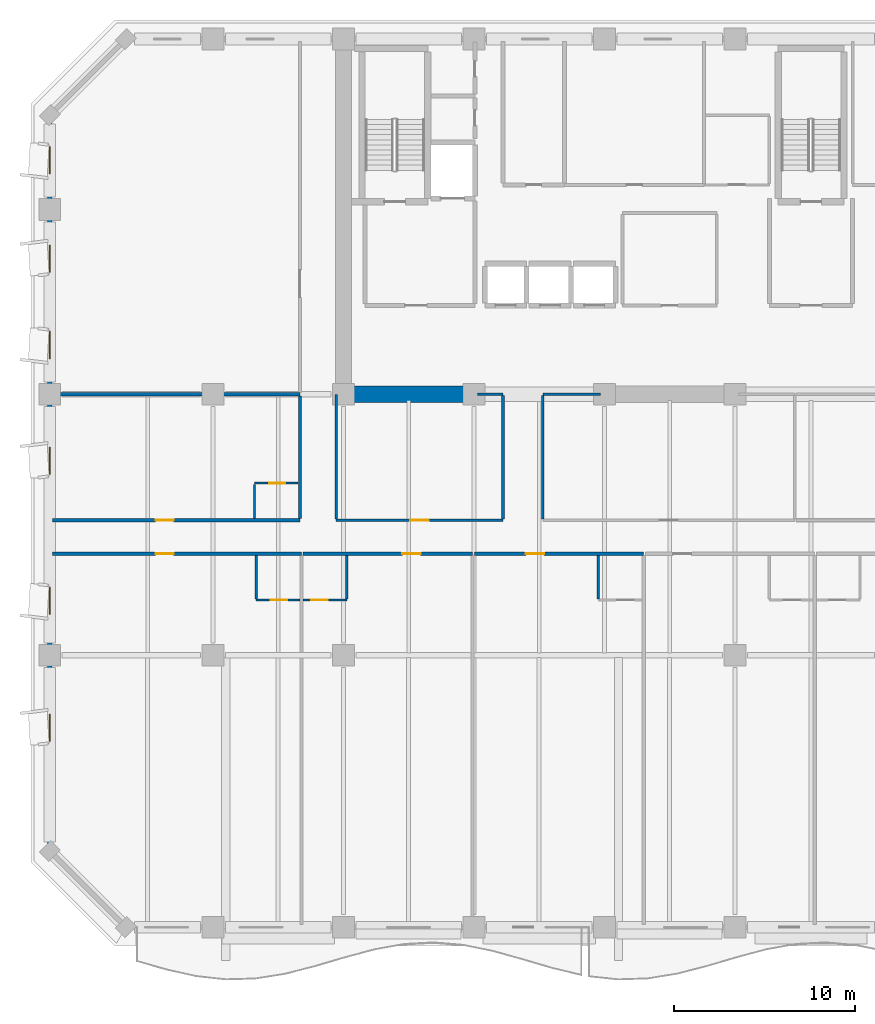
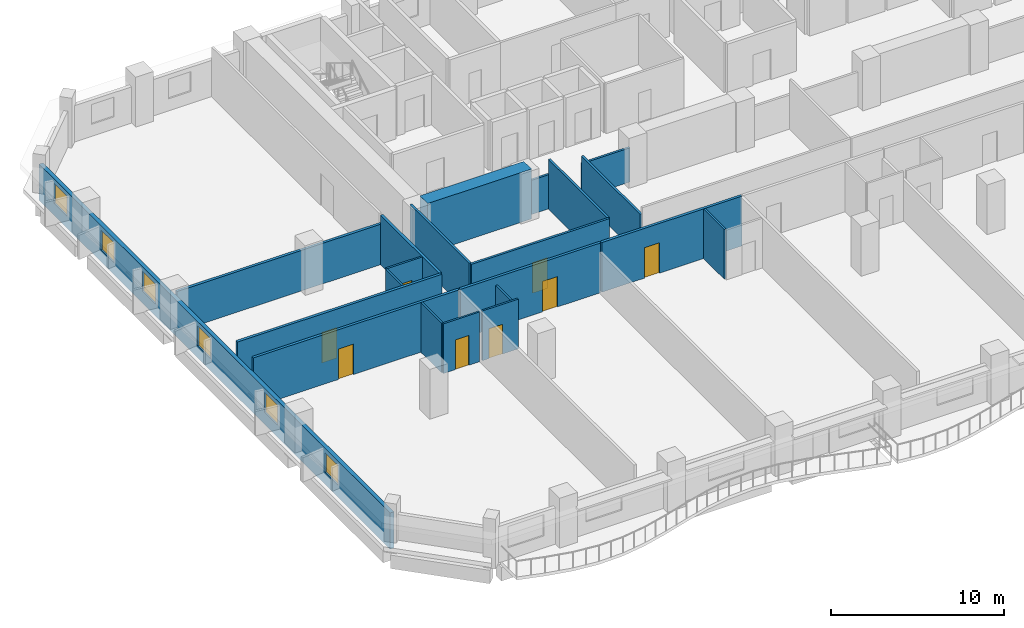
# One storey, part 4 of 14: 21 walls, 8 doors, 6 windows, 14 openings.
"""IFC4 building model written with IfcOpenShell, lengths in metres."""

import ifcopenshell
import ifcopenshell.guid

model = None  # the IFC model being written
_history = None  # IfcOwnerHistory: only IFC2X3 demands one
_inside = {}  # id of a spatial element -> (the spatial element, [elements in it])
_under = {}  # id of a project, library or spatial element -> (it, [spatial elements below it])
_declared = {}  # id of a project -> (the project, [libraries it declares])
_typed = {}  # id of a type object -> (the type object, [elements of that type])
_made_of = {}  # id of a material, layer set ... -> (it, [elements and type objects made of it])


def new_model(schema):
    """Start an empty IFC model of exactly this schema.

    Asked for "IFC4X3", IfcOpenShell would pick the latest addendum, in which some entities
    have other attributes; the version numbers below select the first issue.
    IFC2X3 requires an IfcOwnerHistory on every rooted entity: one is made here for all.
    """
    global model, _history
    if schema == "IFC4X3":
        model = ifcopenshell.file(schema_version=(4, 3, 0, 0))
    else:
        model = ifcopenshell.file(schema=schema)
    _inside.clear()
    _under.clear()
    _declared.clear()
    _typed.clear()
    _made_of.clear()
    _history = None
    if model.schema == "IFC2X3":
        org = make("IfcOrganization", Name="unknown")
        user = make(
            "IfcPersonAndOrganization",
            ThePerson=make("IfcPerson", FamilyName="unknown"),
            TheOrganization=org,
        )
        app = make(
            "IfcApplication",
            ApplicationDeveloper=org,
            Version="unknown",
            ApplicationFullName="unknown",
            ApplicationIdentifier="unknown",
        )
        _history = make(
            "IfcOwnerHistory",
            OwningUser=user,
            OwningApplication=app,
            ChangeAction="ADDED",
            CreationDate=0,
        )
    return model


def make(cls, **values):
    """One entity of the class cls with the attributes given. An attribute that is None is left unset."""
    return model.create_entity(
        cls, **{name: value for name, value in values.items() if value is not None}
    )


def rooted(cls, **values):
    """An entity with a GlobalId (a new one), such as an element, a storey or a relation."""
    return make(cls, GlobalId=ifcopenshell.guid.new(), OwnerHistory=_history, **values)


def si_unit(unit_type, name, prefix=None):
    """IfcSIUnit, for example si_unit("LENGTHUNIT", "METRE", prefix="MILLI")."""
    return make("IfcSIUnit", UnitType=unit_type, Prefix=prefix, Name=name)


def assignment(units):
    """IfcUnitAssignment: the units of a project."""
    return None if units is None else make("IfcUnitAssignment", Units=units)


def point(xyz):
    """IfcCartesianPoint."""
    return None if xyz is None else make("IfcCartesianPoint", Coordinates=xyz)


def direction(xyz):
    """IfcDirection."""
    return None if xyz is None else make("IfcDirection", DirectionRatios=xyz)


def frame(location, z_axis=None, x_axis=None):
    """IfcAxis2Placement3D, a coordinate frame: its origin and axes. An axis left out is left unset."""
    return make(
        "IfcAxis2Placement3D",
        Location=point(location),
        Axis=direction(z_axis),
        RefDirection=direction(x_axis),
    )


def frame_2d(location, x_axis=None):
    """IfcAxis2Placement2D, a coordinate frame in the plane: its origin and x axis."""
    return make(
        "IfcAxis2Placement2D", Location=point(location), RefDirection=direction(x_axis)
    )


def origin():
    """The frame at (0, 0, 0) with its axes left unset."""
    return frame((0.0, 0.0, 0.0))


def place(relative_to, where):
    """IfcLocalPlacement: puts the frame where relative to a parent placement (None: the world)."""
    return make(
        "IfcLocalPlacement", PlacementRelTo=relative_to, RelativePlacement=where
    )


def context(
    kind, dimensions, precision=None, world=None, true_north=None, identifier=None
):
    """IfcGeometricRepresentationContext, for example the 3D "Model" context."""
    return make(
        "IfcGeometricRepresentationContext",
        ContextIdentifier=identifier,
        ContextType=kind,
        CoordinateSpaceDimension=dimensions,
        Precision=precision,
        WorldCoordinateSystem=world,
        TrueNorth=true_north,
    )


def subcontext(parent, identifier, kind, view, scale=None):
    """IfcGeometricRepresentationSubContext, for example "Body" below "Model"."""
    return make(
        "IfcGeometricRepresentationSubContext",
        ContextIdentifier=identifier,
        ContextType=kind,
        ParentContext=parent,
        TargetScale=scale,
        TargetView=view,
    )


def project(units=None, contexts=None):
    """IfcProject with its units and contexts."""
    return rooted(
        "IfcProject",
        Name="project",
        RepresentationContexts=contexts,
        UnitsInContext=assignment(units),
    )


def spatial(cls, under=None, at=None, **own):
    """A site, building, storey or space (cls), placed at a placement, below another one or the project."""
    s = rooted(cls, ObjectPlacement=at, **own)
    if under is not None:
        _under.setdefault(under.id(), (under, []))[1].append(s)
    return s


def profile(cls, at=None, kind="AREA", **sizes):
    """A parametric profile (cls). Its sizes go by their IFC names, for example OverallWidth=200.0."""
    return make(cls, ProfileType=kind, Position=at, **sizes)


def rectangle(**sizes):
    """IfcRectangleProfileDef."""
    return profile("IfcRectangleProfileDef", **sizes)


def extrude(swept, where, along, depth):
    """IfcExtrudedAreaSolid: the profile swept, set in the frame where, extruded along a direction by depth."""
    return make(
        "IfcExtrudedAreaSolid",
        SweptArea=swept,
        Position=where,
        ExtrudedDirection=direction(along),
        Depth=depth,
    )


def shape(context_of_items, identifier, shape_type, items):
    """IfcShapeRepresentation: the items that make up one representation, for example the "Body"."""
    return make(
        "IfcShapeRepresentation",
        ContextOfItems=context_of_items,
        RepresentationIdentifier=identifier,
        RepresentationType=shape_type,
        Items=items,
    )


def material(Name=None, Category=None):
    """IfcMaterial."""
    return make("IfcMaterial", Name=Name, Category=Category)


def layer(
    of_material, thickness, ventilated=None, Name=None, Category=None, Priority=None
):
    """IfcMaterialLayer: one layer of a wall or slab, of a material (None: an air gap)."""
    return make(
        "IfcMaterialLayer",
        Material=of_material,
        LayerThickness=thickness,
        IsVentilated=ventilated,
        Name=Name,
        Category=Category,
        Priority=Priority,
    )


def layer_set(layers, Name=None):
    """IfcMaterialLayerSet."""
    return make("IfcMaterialLayerSet", MaterialLayers=layers, LayerSetName=Name)


def made_of(thing, what):
    """Note that an element or type object is made of a material, layer set ...; save() writes the relation."""
    if what is not None:
        _made_of.setdefault(what.id(), (what, []))[1].append(thing)
    return thing


def type_object(cls, material=None, **own):
    """A type object (cls), such as IfcWallType, which elements share."""
    return made_of(rooted(cls, **own), material)


def element(
    cls,
    number,
    at=None,
    inside=None,
    cuts=None,
    type_object=None,
    material=None,
    context=None,
    identifier="Body",
    shape_type=None,
    held_by="IfcProductDefinitionShape",
    body=None,
    shapes=None,
    **own,
):
    """One element of the class cls, such as IfcWall. Its Tag is "e" and its number.

    at: its placement. inside: the storey or other place that contains it. cuts: it is an
    opening in that element (IfcRelVoidsElement). A single representation is given by context,
    identifier, shape_type and body (its items); several are given by shapes. held_by: the class
    of the entity that holds the representations. save() writes the other relations.
    """
    e = rooted(cls, Tag="e%d" % number, ObjectPlacement=at, **own)
    if body is not None:
        shapes = [shape(context, identifier, shape_type, body)]
    if shapes is not None:
        e.Representation = make(held_by, Representations=shapes)
    if inside is not None:
        _inside.setdefault(inside.id(), (inside, []))[1].append(e)
    if cuts is not None:
        rooted(
            "IfcRelVoidsElement", RelatingBuildingElement=cuts, RelatedOpeningElement=e
        )
    if type_object is not None:
        _typed.setdefault(type_object.id(), (type_object, []))[1].append(e)
    return made_of(e, material)


def fill(opening, filler):
    """IfcRelFillsElement: the door or window that sits in an opening."""
    return rooted(
        "IfcRelFillsElement",
        RelatingOpeningElement=opening,
        RelatedBuildingElement=filler,
    )


def aggregate(whole, parts):
    """IfcRelAggregates: a whole, such as a stair, and the parts it consists of."""
    return rooted("IfcRelAggregates", RelatingObject=whole, RelatedObjects=parts)


def save(model, path):
    """Write the relations noted so far, then the file.

    IfcRelAggregates (storeys below a building ...), IfcRelContainedInSpatialStructure (elements
    in a storey), IfcRelDefinesByType, IfcRelAssociatesMaterial and IfcRelDeclares: one each for
    every whole, place, type object, material and project.
    """
    for whole, parts in _under.values():
        aggregate(whole, parts)
    for where, things in _inside.values():
        rooted(
            "IfcRelContainedInSpatialStructure",
            RelatedElements=things,
            RelatingStructure=where,
        )
    for kind, things in _typed.values():
        rooted("IfcRelDefinesByType", RelatedObjects=things, RelatingType=kind)
    for what, things in _made_of.values():
        rooted("IfcRelAssociatesMaterial", RelatedObjects=things, RelatingMaterial=what)
    for by, libraries in _declared.values():
        rooted("IfcRelDeclares", RelatingContext=by, RelatedDefinitions=libraries)
    model.write(path)


model = new_model("IFC4")

# Units and contexts
model_context = context("Model", 3, precision=1e-05, world=origin(), true_north=direction((0.0, 1.0)))
body_context = subcontext(model_context, "Body", "Model", "MODEL_VIEW")
ifc_project = project(units=[si_unit("LENGTHUNIT", "METRE"), si_unit("AREAUNIT", "SQUARE_METRE"), si_unit("VOLUMEUNIT", "CUBIC_METRE"), si_unit("PLANEANGLEUNIT", "RADIAN"), si_unit("MASSUNIT", "GRAM", prefix="KILO")], contexts=[model_context])

# Site, building, storey
site_placement = place(None, origin())
site = spatial("IfcSite", under=ifc_project, at=site_placement, CompositionType="ELEMENT")
building_placement = place(site_placement, origin())
building = spatial("IfcBuilding", under=site, at=building_placement, Name="Kaelvorn Grand Hotel", CompositionType="ELEMENT")
storey_placement = place(building_placement, frame((0.0, 0.0, 85.550048828125)))
storey = spatial("IfcBuildingStorey", under=building, at=storey_placement, Name="L19", CompositionType="ELEMENT", Elevation=85.550048828125)

# Wall
ifc_material_1 = material(Name="Concrete C60/75", Category="concrete")
ifc_layer_1 = layer(ifc_material_1, 0.89990234375)
ifc_layer_set_1 = layer_set([ifc_layer_1], Name="Concrete C60/75")
wall_type_1 = type_object("IfcWallType", Name="WL-CORE-900-C60", PredefinedType="SHEAR", material=ifc_layer_set_1)
wall_1_placement = place(storey_placement, frame((16.655029296875, 29.39990234375, 0.0), z_axis=(0.0, 0.0, 1.0), x_axis=(1.0, 0.0, 0.0)))
element("IfcWall", 1, at=wall_1_placement, inside=storey, type_object=wall_type_1, Name="L19 Rear-Core Coupled Shear Pier S1", PredefinedType="SHEAR", context=body_context, shape_type="SweptSolid", body=[
    extrude(rectangle(XDim=6.945068359375, YDim=0.89990234375, at=frame_2d((3.47265625, 0.0))), origin(), (0.0, 0.0, 1.0), 3.510009765625),
])

# Wall, openings, windows
ifc_material_2 = material(Name="Concrete C40/50", Category="concrete")
ifc_layer_2 = layer(ifc_material_2, 0.260009765625)
ifc_layer_set_2 = layer_set([ifc_layer_2], Name="Concrete C40/50")
wall_type_2 = type_object("IfcWallType", Name="WL-EXT-260-C40", PredefinedType="SOLIDWALL", material=ifc_layer_set_2)
wall_2_placement = place(storey_placement, frame((0.0, 44.800048828125, 0.0), z_axis=(0.0, 0.0, 1.0), x_axis=(0.0, -1.0, 0.0)))
wall_2 = element("IfcWall", 2, at=wall_2_placement, inside=storey, type_object=wall_type_2, Name="L19 Exterior Architectural Concrete Wall 07", PredefinedType="SOLIDWALL", context=body_context, shape_type="SweptSolid", body=[
    extrude(rectangle(XDim=40.60009765625, YDim=0.260009765625, at=frame_2d((20.300048828125, 0.0))), origin(), (0.0, 0.0, 1.0), 2.56005859375),
])
opening_1_placement = place(wall_2_placement, frame((33.050048828125, 0.0, 0.85009765625)))
opening_1 = element("IfcOpeningElement", 3, at=opening_1_placement, cuts=wall_2, Name="Opening W10", PredefinedType="OPENING", context=body_context, shape_type="SweptSolid", body=[
    extrude(rectangle(XDim=1.5, YDim=1.39990234375, at=frame_2d((0.75, 0.699951171875))), frame((0.0, 0.14013671875, 0.0), z_axis=(0.0, -1.0, 0.0), x_axis=(1.0, 0.0, 0.0)), (0.0, 0.0, 1.0), 0.280029296875),
])
opening_2_placement = place(wall_2_placement, frame((26.050048828125, 0.0, 0.85009765625)))
opening_2 = element("IfcOpeningElement", 4, at=opening_2_placement, cuts=wall_2, Name="Opening W10", PredefinedType="OPENING", context=body_context, shape_type="SweptSolid", body=[
    extrude(rectangle(XDim=1.5, YDim=1.39990234375, at=frame_2d((0.75, 0.699951171875))), frame((0.0, 0.14013671875, 0.0), z_axis=(0.0, -1.0, 0.0), x_axis=(1.0, 0.0, 0.0)), (0.0, 0.0, 1.0), 0.280029296875),
])
opening_3_placement = place(wall_2_placement, frame((18.324951171875, 0.0, 0.85009765625)))
opening_3 = element("IfcOpeningElement", 5, at=opening_3_placement, cuts=wall_2, Name="Opening W10", PredefinedType="OPENING", context=body_context, shape_type="SweptSolid", body=[
    extrude(rectangle(XDim=1.5, YDim=1.39990234375, at=frame_2d((0.75, 0.699951171875))), frame((0.0, 0.14013671875, 0.0), z_axis=(0.0, -1.0, 0.0), x_axis=(1.0, 0.0, 0.0)), (0.0, 0.0, 1.0), 0.280029296875),
])
opening_4_placement = place(wall_2_placement, frame((11.93505859375, 0.0, 0.85009765625)))
opening_4 = element("IfcOpeningElement", 6, at=opening_4_placement, cuts=wall_2, Name="Opening W10", PredefinedType="OPENING", context=body_context, shape_type="SweptSolid", body=[
    extrude(rectangle(XDim=1.5, YDim=1.39990234375, at=frame_2d((0.75, 0.699951171875))), frame((0.0, 0.14013671875, 0.0), z_axis=(0.0, -1.0, 0.0), x_axis=(1.0, 0.0, 0.0)), (0.0, 0.0, 1.0), 0.280029296875),
])
opening_5_placement = place(wall_2_placement, frame((7.1650390625, 0.0, 0.85009765625)))
opening_5 = element("IfcOpeningElement", 7, at=opening_5_placement, cuts=wall_2, Name="Opening W10", PredefinedType="OPENING", context=body_context, shape_type="SweptSolid", body=[
    extrude(rectangle(XDim=1.5, YDim=1.39990234375, at=frame_2d((0.75, 0.699951171875))), frame((0.0, 0.14013671875, 0.0), z_axis=(0.0, -1.0, 0.0), x_axis=(1.0, 0.0, 0.0)), (0.0, 0.0, 1.0), 0.280029296875),
])
opening_6_placement = place(wall_2_placement, frame((1.735107421875, 0.0, 0.85009765625)))
opening_6 = element("IfcOpeningElement", 8, at=opening_6_placement, cuts=wall_2, Name="Opening W10", PredefinedType="OPENING", context=body_context, shape_type="SweptSolid", body=[
    extrude(rectangle(XDim=1.5, YDim=1.39990234375, at=frame_2d((0.75, 0.699951171875))), frame((0.0, 0.14013671875, 0.0), z_axis=(0.0, -1.0, 0.0), x_axis=(1.0, 0.0, 0.0)), (0.0, 0.0, 1.0), 0.280029296875),
])
ifc_material_3 = material(Name="Laminated Low-E Glass", Category="glass")
window_type = type_object("IfcWindowType", Name="WIN-COR-1500x1400", PartitioningType="SINGLE_PANEL", PredefinedType="WINDOW", material=ifc_material_3)
window_1_placement = place(opening_1_placement, origin())
window_1 = element("IfcWindow", 9, at=window_1_placement, inside=storey, type_object=window_type, Name="L19 W Wing Tilted-Frame Ribbon Window W01", OverallHeight=1.39990234375, OverallWidth=1.5, PartitioningType="SINGLE_PANEL", PredefinedType="WINDOW", context=body_context, shape_type="SweptSolid", body=[
    extrude(rectangle(XDim=1.5, YDim=1.39990234375, at=frame_2d((0.75, 0.699951171875))), frame((0.0, 0.030029296875, 0.0), z_axis=(0.0, -1.0, 0.0), x_axis=(1.0, 0.0, 0.0)), (0.0, 0.0, 1.0), 0.06005859375),
])
fill(opening_1, window_1)
window_2_placement = place(opening_2_placement, origin())
window_2 = element("IfcWindow", 10, at=window_2_placement, inside=storey, type_object=window_type, Name="L19 W Wing Tilted-Frame Ribbon Window W02", OverallHeight=1.39990234375, OverallWidth=1.5, PartitioningType="SINGLE_PANEL", PredefinedType="WINDOW", context=body_context, shape_type="SweptSolid", body=[
    extrude(rectangle(XDim=1.5, YDim=1.39990234375, at=frame_2d((0.75, 0.699951171875))), frame((0.0, 0.030029296875, 0.0), z_axis=(0.0, -1.0, 0.0), x_axis=(1.0, 0.0, 0.0)), (0.0, 0.0, 1.0), 0.06005859375),
])
fill(opening_2, window_2)
window_3_placement = place(opening_3_placement, origin())
window_3 = element("IfcWindow", 11, at=window_3_placement, inside=storey, type_object=window_type, Name="L19 W Wing Tilted-Frame Ribbon Window W03", OverallHeight=1.39990234375, OverallWidth=1.5, PartitioningType="SINGLE_PANEL", PredefinedType="WINDOW", context=body_context, shape_type="SweptSolid", body=[
    extrude(rectangle(XDim=1.5, YDim=1.39990234375, at=frame_2d((0.75, 0.699951171875))), frame((0.0, 0.030029296875, 0.0), z_axis=(0.0, -1.0, 0.0), x_axis=(1.0, 0.0, 0.0)), (0.0, 0.0, 1.0), 0.06005859375),
])
fill(opening_3, window_3)
window_4_placement = place(opening_4_placement, origin())
window_4 = element("IfcWindow", 12, at=window_4_placement, inside=storey, type_object=window_type, Name="L19 W Wing Tilted-Frame Ribbon Window W04", OverallHeight=1.39990234375, OverallWidth=1.5, PartitioningType="SINGLE_PANEL", PredefinedType="WINDOW", context=body_context, shape_type="SweptSolid", body=[
    extrude(rectangle(XDim=1.5, YDim=1.39990234375, at=frame_2d((0.75, 0.699951171875))), frame((0.0, 0.030029296875, 0.0), z_axis=(0.0, -1.0, 0.0), x_axis=(1.0, 0.0, 0.0)), (0.0, 0.0, 1.0), 0.06005859375),
])
fill(opening_4, window_4)
window_5_placement = place(opening_5_placement, origin())
window_5 = element("IfcWindow", 13, at=window_5_placement, inside=storey, type_object=window_type, Name="L19 W Wing Tilted-Frame Ribbon Window W05", OverallHeight=1.39990234375, OverallWidth=1.5, PartitioningType="SINGLE_PANEL", PredefinedType="WINDOW", context=body_context, shape_type="SweptSolid", body=[
    extrude(rectangle(XDim=1.5, YDim=1.39990234375, at=frame_2d((0.75, 0.699951171875))), frame((0.0, 0.030029296875, 0.0), z_axis=(0.0, -1.0, 0.0), x_axis=(1.0, 0.0, 0.0)), (0.0, 0.0, 1.0), 0.06005859375),
])
fill(opening_5, window_5)
window_6_placement = place(opening_6_placement, origin())
window_6 = element("IfcWindow", 14, at=window_6_placement, inside=storey, type_object=window_type, Name="L19 W Wing Tilted-Frame Ribbon Window W06", OverallHeight=1.39990234375, OverallWidth=1.5, PartitioningType="SINGLE_PANEL", PredefinedType="WINDOW", context=body_context, shape_type="SweptSolid", body=[
    extrude(rectangle(XDim=1.5, YDim=1.39990234375, at=frame_2d((0.75, 0.699951171875))), frame((0.0, 0.030029296875, 0.0), z_axis=(0.0, -1.0, 0.0), x_axis=(1.0, 0.0, 0.0)), (0.0, 0.0, 1.0), 0.06005859375),
])
fill(opening_6, window_6)

# Wall, opening, door
ifc_material_4 = material(Name="Moisture-Resistant Tile & Stud Board")
ifc_layer_3 = layer(ifc_material_4, 0.125)
ifc_layer_set_3 = layer_set([ifc_layer_3], Name="Moisture-Resistant Tile & Stud Board")
wall_type_3 = type_object("IfcWallType", Name="WL-PART-125-WET", PredefinedType="PARTITIONING", material=ifc_layer_set_3)
wall_3_placement = place(storey_placement, frame((11.3876953125, 18.050048828125, 0.0), z_axis=(0.0, 0.0, 1.0), x_axis=(1.0, 0.0, 0.0)))
wall_3 = element("IfcWall", 15, at=wall_3_placement, inside=storey, type_object=wall_type_3, Name="L19 En-suite Bathroom L19-01 S Partition", PredefinedType="PARTITIONING", context=body_context, shape_type="SweptSolid", body=[
    extrude(rectangle(XDim=2.405029296875, YDim=0.125, at=frame_2d((1.20263671875, 0.0))), origin(), (0.0, 0.0, 1.0), 3.510009765625),
])
opening_7_placement = place(wall_3_placement, frame((0.800048828125, 0.0, 0.0)))
opening_7 = element("IfcOpeningElement", 16, at=opening_7_placement, cuts=wall_3, Name="Opening DI4", PredefinedType="OPENING", context=body_context, shape_type="SweptSolid", body=[
    extrude(rectangle(XDim=0.89990234375, YDim=2.10009765625, at=frame_2d((0.449951171875, 1.050048828125))), frame((0.0, 0.072509765625, 0.0), z_axis=(0.0, -1.0, 0.0), x_axis=(1.0, 0.0, 0.0)), (0.0, 0.0, 1.0), 0.14501953125),
])
ifc_material_5 = material(Name="Timber Veneer Leaf", Category="wood")
door_type_1 = type_object("IfcDoorType", Name="DR-INT-BATH-900x2100", OperationType="NOTDEFINED", PredefinedType="DOOR", material=ifc_material_5)
door_1_placement = place(opening_7_placement, origin())
door_1 = element("IfcDoor", 17, at=door_1_placement, inside=storey, type_object=door_type_1, Name="L19 En-suite Bathroom L19-01 Door", OperationType="SINGLE_SWING_LEFT", OverallHeight=2.10009765625, OverallWidth=0.89990234375, PredefinedType="DOOR", context=body_context, shape_type="SweptSolid", body=[
    extrude(rectangle(XDim=0.89990234375, YDim=2.10009765625, at=frame_2d((0.449951171875, 1.050048828125))), frame((0.0, 0.02490234375, 0.0), z_axis=(0.0, -1.0, 0.0), x_axis=(1.0, 0.0, 0.0)), (0.0, 0.0, 1.0), 0.050048828125),
])
fill(opening_7, door_1)

# Wall
wall_4_placement = place(storey_placement, frame((11.3876953125, 18.117431640625, 0.0), z_axis=(0.0, 0.0, 1.0), x_axis=(0.0, 1.0, 0.0)))
element("IfcWall", 18, at=wall_4_placement, inside=storey, type_object=wall_type_3, Name="L19 En-suite Bathroom L19-01 W Partition", PredefinedType="PARTITIONING", context=body_context, shape_type="SweptSolid", body=[
    extrude(rectangle(XDim=2.387451171875, YDim=0.125, at=frame_2d((1.19384765625, 0.0))), origin(), (0.0, 0.0, 1.0), 3.510009765625),
])

# Wall, opening, door
wall_5_placement = place(storey_placement, frame((13.982666015625, 18.050048828125, 0.0), z_axis=(0.0, 0.0, 1.0), x_axis=(1.0, 0.0, 0.0)))
wall_5 = element("IfcWall", 19, at=wall_5_placement, inside=storey, type_object=wall_type_3, Name="L19 En-suite Bathroom L19-02 S Partition", PredefinedType="PARTITIONING", context=body_context, shape_type="SweptSolid", body=[
    extrude(rectangle(XDim=2.405029296875, YDim=0.125, at=frame_2d((1.20263671875, 0.0))), origin(), (0.0, 0.0, 1.0), 3.510009765625),
])
opening_8_placement = place(wall_5_placement, frame((0.455078125, 0.0, 0.0)))
opening_8 = element("IfcOpeningElement", 20, at=opening_8_placement, cuts=wall_5, Name="Opening DI4", PredefinedType="OPENING", context=body_context, shape_type="SweptSolid", body=[
    extrude(rectangle(XDim=0.89990234375, YDim=2.10009765625, at=frame_2d((0.449951171875, 1.050048828125))), frame((0.0, 0.072509765625, 0.0), z_axis=(0.0, -1.0, 0.0), x_axis=(1.0, 0.0, 0.0)), (0.0, 0.0, 1.0), 0.14501953125),
])
door_2_placement = place(opening_8_placement, origin())
door_2 = element("IfcDoor", 21, at=door_2_placement, inside=storey, type_object=door_type_1, Name="L19 En-suite Bathroom L19-02 Door", OperationType="SINGLE_SWING_LEFT", OverallHeight=2.10009765625, OverallWidth=0.89990234375, PredefinedType="DOOR", context=body_context, shape_type="SweptSolid", body=[
    extrude(rectangle(XDim=0.89990234375, YDim=2.10009765625, at=frame_2d((0.449951171875, 1.050048828125))), frame((0.0, 0.02490234375, 0.0), z_axis=(0.0, -1.0, 0.0), x_axis=(1.0, 0.0, 0.0)), (0.0, 0.0, 1.0), 0.050048828125),
])
fill(opening_8, door_2)

# Walls
wall_6_placement = place(storey_placement, frame((16.3876953125, 18.117431640625, 0.0), z_axis=(0.0, 0.0, 1.0), x_axis=(0.0, 1.0, 0.0)))
element("IfcWall", 22, at=wall_6_placement, inside=storey, type_object=wall_type_3, Name="L19 En-suite Bathroom L19-02 E Partition", PredefinedType="PARTITIONING", context=body_context, shape_type="SweptSolid", body=[
    extrude(rectangle(XDim=2.387451171875, YDim=0.125, at=frame_2d((1.19384765625, 0.0))), origin(), (0.0, 0.0, 1.0), 2.976806640625),
])
wall_7_placement = place(storey_placement, frame((30.26318359375, 18.117431640625, 0.0), z_axis=(0.0, 0.0, 1.0), x_axis=(0.0, 1.0, 0.0)))
element("IfcWall", 23, at=wall_7_placement, inside=storey, type_object=wall_type_3, Name="L19 En-suite Bathroom L19-03 W Partition", PredefinedType="PARTITIONING", context=body_context, shape_type="SweptSolid", body=[
    extrude(rectangle(XDim=2.387451171875, YDim=0.125, at=frame_2d((1.19384765625, 0.0))), origin(), (0.0, 0.0, 1.0), 3.510009765625),
])

# Wall, opening, door
wall_8_placement = place(storey_placement, frame((11.300048828125, 24.5, 0.0), z_axis=(0.0, 0.0, 1.0), x_axis=(1.0, 0.0, 0.0)))
wall_8 = element("IfcWall", 24, at=wall_8_placement, inside=storey, type_object=wall_type_3, Name="L19 En-suite Bathroom L19-09 N Partition", PredefinedType="PARTITIONING", context=body_context, shape_type="SweptSolid", body=[
    extrude(rectangle(XDim=2.405029296875, YDim=0.125, at=frame_2d((1.20263671875, 0.0))), origin(), (0.0, 0.0, 1.0), 3.510009765625),
])
opening_9_placement = place(wall_8_placement, frame((0.800048828125, 0.0, 0.0)))
opening_9 = element("IfcOpeningElement", 25, at=opening_9_placement, cuts=wall_8, Name="Opening DI4", PredefinedType="OPENING", context=body_context, shape_type="SweptSolid", body=[
    extrude(rectangle(XDim=0.89990234375, YDim=2.10009765625, at=frame_2d((0.449951171875, 1.050048828125))), frame((0.0, 0.072509765625, 0.0), z_axis=(0.0, -1.0, 0.0), x_axis=(1.0, 0.0, 0.0)), (0.0, 0.0, 1.0), 0.14501953125),
])
door_3_placement = place(opening_9_placement, origin())
door_3 = element("IfcDoor", 26, at=door_3_placement, inside=storey, type_object=door_type_1, Name="L19 En-suite Bathroom L19-09 Door", OperationType="SINGLE_SWING_LEFT", OverallHeight=2.10009765625, OverallWidth=0.89990234375, PredefinedType="DOOR", context=body_context, shape_type="SweptSolid", body=[
    extrude(rectangle(XDim=0.89990234375, YDim=2.10009765625, at=frame_2d((0.449951171875, 1.050048828125))), frame((0.0, 0.02490234375, 0.0), z_axis=(0.0, -1.0, 0.0), x_axis=(1.0, 0.0, 0.0)), (0.0, 0.0, 1.0), 0.050048828125),
])
fill(opening_9, door_3)

# Wall
wall_9_placement = place(storey_placement, frame((11.300048828125, 22.544921875, 0.0), z_axis=(0.0, 0.0, 1.0), x_axis=(0.0, 1.0, 0.0)))
element("IfcWall", 27, at=wall_9_placement, inside=storey, type_object=wall_type_3, Name="L19 En-suite Bathroom L19-09 W Partition", PredefinedType="PARTITIONING", context=body_context, shape_type="SweptSolid", body=[
    extrude(rectangle(XDim=1.8876953125, YDim=0.125, at=frame_2d((0.94384765625, 0.0))), origin(), (0.0, 0.0, 1.0), 3.510009765625),
])

# Wall, opening, door
ifc_material_6 = material(Name="Acoustic Gypsum & Stud Partition")
ifc_layer_4 = layer(ifc_material_6, 0.14990234375)
ifc_layer_set_4 = layer_set([ifc_layer_4], Name="Acoustic Gypsum & Stud Partition")
wall_type_4 = type_object("IfcWallType", Name="WL-PART-150-EI60", PredefinedType="PARTITIONING", material=ifc_layer_set_4)
wall_10_placement = place(storey_placement, frame((15.800048828125, 22.449951171875, 0.0), z_axis=(0.0, 0.0, 1.0), x_axis=(1.0, 0.0, 0.0)))
wall_10 = element("IfcWall", 28, at=wall_10_placement, inside=storey, type_object=wall_type_4, Name="L19 Art Gallery Salon S Partition", PredefinedType="PARTITIONING", context=body_context, shape_type="SweptSolid", body=[
    extrude(rectangle(XDim=9.199951171875, YDim=0.14990234375, at=frame_2d((4.60009765625, 0.0))), origin(), (0.0, 0.0, 1.0), 3.510009765625),
])
opening_10_placement = place(wall_10_placement, frame((4.10009765625, 0.0, 0.0)))
opening_10 = element("IfcOpeningElement", 29, at=opening_10_placement, cuts=wall_10, Name="Opening DI3", PredefinedType="OPENING", context=body_context, shape_type="SweptSolid", body=[
    extrude(rectangle(XDim=1.0, YDim=2.14990234375, at=frame_2d((0.5, 1.074951171875))), frame((0.0, 0.0849609375, 0.0), z_axis=(0.0, -1.0, 0.0), x_axis=(1.0, 0.0, 0.0)), (0.0, 0.0, 1.0), 0.169921875),
])
ifc_material_7 = material(Name="Timber Veneer Fire Leaf", Category="wood")
door_type_2 = type_object("IfcDoorType", Name="DR-INT-GUEST-1000x2150", OperationType="NOTDEFINED", PredefinedType="DOOR", material=ifc_material_7)
door_4_placement = place(opening_10_placement, origin())
door_4 = element("IfcDoor", 30, at=door_4_placement, inside=storey, type_object=door_type_2, Name="L19 Art Gallery Salon Door", OperationType="SINGLE_SWING_RIGHT", OverallHeight=2.14990234375, OverallWidth=1.0, PredefinedType="DOOR", context=body_context, shape_type="SweptSolid", body=[
    extrude(rectangle(XDim=1.0, YDim=2.14990234375, at=frame_2d((0.5, 1.074951171875))), frame((0.0, 0.02490234375, 0.0), z_axis=(0.0, -1.0, 0.0), x_axis=(1.0, 0.0, 0.0)), (0.0, 0.0, 1.0), 0.050048828125),
])
fill(opening_10, door_4)

# Walls
wall_11_placement = place(storey_placement, frame((23.610107421875, 29.39990234375, 0.0), z_axis=(0.0, 0.0, 1.0), x_axis=(1.0, 0.0, 0.0)))
element("IfcWall", 31, at=wall_11_placement, inside=storey, type_object=wall_type_4, Name="L19 Art Gallery Salon N Partition", PredefinedType="PARTITIONING", context=body_context, shape_type="SweptSolid", body=[
    extrude(rectangle(XDim=1.389892578125, YDim=0.14990234375, at=frame_2d((0.69482421875, 0.0))), origin(), (0.0, 0.0, 1.0), 2.409912109375),
])
wall_12_placement = place(storey_placement, frame((15.800048828125, 22.530029296875, 0.0), z_axis=(0.0, 0.0, 1.0), x_axis=(0.0, 1.0, 0.0)))
element("IfcWall", 32, at=wall_12_placement, inside=storey, type_object=wall_type_4, Name="L19 Art Gallery Salon W Partition", PredefinedType="PARTITIONING", context=body_context, shape_type="SweptSolid", body=[
    extrude(rectangle(XDim=6.85986328125, YDim=0.14990234375, at=frame_2d((3.429931640625, 0.0))), origin(), (0.0, 0.0, 1.0), 3.510009765625),
])
wall_13_placement = place(storey_placement, frame((25.0, 22.530029296875, 0.0), z_axis=(0.0, 0.0, 1.0), x_axis=(0.0, 1.0, 0.0)))
element("IfcWall", 33, at=wall_13_placement, inside=storey, type_object=wall_type_4, Name="L19 Art Gallery Salon E Partition", PredefinedType="PARTITIONING", context=body_context, shape_type="SweptSolid", body=[
    extrude(rectangle(XDim=6.7900390625, YDim=0.14990234375, at=frame_2d((3.39501953125, 0.0))), origin(), (0.0, 0.0, 1.0), 3.510009765625),
])
wall_14_placement = place(storey_placement, frame((27.199951171875, 29.39990234375, 0.0), z_axis=(0.0, 0.0, 1.0), x_axis=(1.0, 0.0, 0.0)))
element("IfcWall", 34, at=wall_14_placement, inside=storey, type_object=wall_type_4, Name="L19 Pastry & Tea Kitchen N Partition (1)", PredefinedType="PARTITIONING", context=body_context, shape_type="SweptSolid", body=[
    extrude(rectangle(XDim=3.18994140625, YDim=0.14990234375, at=frame_2d((1.594970703125, 0.0))), origin(), (0.0, 0.0, 1.0), 2.409912109375),
])
wall_15_placement = place(storey_placement, frame((27.199951171875, 22.530029296875, 0.0), z_axis=(0.0, 0.0, 1.0), x_axis=(0.0, 1.0, 0.0)))
element("IfcWall", 35, at=wall_15_placement, inside=storey, type_object=wall_type_4, Name="L19 Pastry & Tea Kitchen W Partition", PredefinedType="PARTITIONING", context=body_context, shape_type="SweptSolid", body=[
    extrude(rectangle(XDim=6.7900390625, YDim=0.14990234375, at=frame_2d((3.39501953125, 0.0))), origin(), (0.0, 0.0, 1.0), 2.976806640625),
])

# Wall, opening, door
ifc_layer_5 = layer(ifc_material_6, 0.179931640625)
ifc_layer_set_5 = layer_set([ifc_layer_5], Name="Acoustic Gypsum & Stud Partition")
wall_type_5 = type_object("IfcWallType", Name="WL-PART-180-EI60", PredefinedType="PARTITIONING", material=ifc_layer_set_5)
wall_16_placement = place(storey_placement, frame((0.14990234375, 20.60009765625, 0.0), z_axis=(0.0, 0.0, 1.0), x_axis=(1.0, 0.0, 0.0)))
wall_16 = element("IfcWall", 36, at=wall_16_placement, inside=storey, type_object=wall_type_5, Name="L19 Presidential Sky Suite L19-01 N Partition", PredefinedType="PARTITIONING", context=body_context, shape_type="SweptSolid", body=[
    extrude(rectangle(XDim=13.73779296875, YDim=0.179931640625, at=frame_2d((6.868896484375, 0.0))), origin(), (0.0, 0.0, 1.0), 3.510009765625),
])
opening_11_placement = place(wall_16_placement, frame((5.68505859375, 0.0, 0.0)))
opening_11 = element("IfcOpeningElement", 37, at=opening_11_placement, cuts=wall_16, Name="Opening DI3", PredefinedType="OPENING", context=body_context, shape_type="SweptSolid", body=[
    extrude(rectangle(XDim=1.0, YDim=2.14990234375, at=frame_2d((0.5, 1.074951171875))), frame((0.0, 0.10009765625, 0.0), z_axis=(0.0, -1.0, 0.0), x_axis=(1.0, 0.0, 0.0)), (0.0, 0.0, 1.0), 0.199951171875),
])
door_5_placement = place(opening_11_placement, origin())
door_5 = element("IfcDoor", 38, at=door_5_placement, inside=storey, type_object=door_type_2, Name="L19 Presidential Sky Suite L19-01 Door", OperationType="SINGLE_SWING_RIGHT", OverallHeight=2.14990234375, OverallWidth=1.0, PredefinedType="DOOR", context=body_context, shape_type="SweptSolid", body=[
    extrude(rectangle(XDim=1.0, YDim=2.14990234375, at=frame_2d((0.5, 1.074951171875))), frame((0.0, 0.02490234375, 0.0), z_axis=(0.0, -1.0, 0.0), x_axis=(1.0, 0.0, 0.0)), (0.0, 0.0, 1.0), 0.050048828125),
])
fill(opening_11, door_5)

wall_17_placement = place(storey_placement, frame((13.982666015625, 20.60009765625, 0.0), z_axis=(0.0, 0.0, 1.0), x_axis=(1.0, 0.0, 0.0)))
wall_17 = element("IfcWall", 39, at=wall_17_placement, inside=storey, type_object=wall_type_5, Name="L19 Deluxe Panoramic Suite L19-02 N Partition", PredefinedType="PARTITIONING", context=body_context, shape_type="SweptSolid", body=[
    extrude(rectangle(XDim=9.3427734375, YDim=0.179931640625, at=frame_2d((4.67138671875, 0.0))), origin(), (0.0, 0.0, 1.0), 3.510009765625),
])
opening_12_placement = place(wall_17_placement, frame((5.47119140625, 0.0, 0.0)))
opening_12 = element("IfcOpeningElement", 40, at=opening_12_placement, cuts=wall_17, Name="Opening DI3", PredefinedType="OPENING", context=body_context, shape_type="SweptSolid", body=[
    extrude(rectangle(XDim=1.0, YDim=2.14990234375, at=frame_2d((0.5, 1.074951171875))), frame((0.0, 0.10009765625, 0.0), z_axis=(0.0, -1.0, 0.0), x_axis=(1.0, 0.0, 0.0)), (0.0, 0.0, 1.0), 0.199951171875),
])
door_6_placement = place(opening_12_placement, origin())
door_6 = element("IfcDoor", 41, at=door_6_placement, inside=storey, type_object=door_type_2, Name="L19 Deluxe Panoramic Suite L19-02 Door", OperationType="SINGLE_SWING_RIGHT", OverallHeight=2.14990234375, OverallWidth=1.0, PredefinedType="DOOR", context=body_context, shape_type="SweptSolid", body=[
    extrude(rectangle(XDim=1.0, YDim=2.14990234375, at=frame_2d((0.5, 1.074951171875))), frame((0.0, 0.02490234375, 0.0), z_axis=(0.0, -1.0, 0.0), x_axis=(1.0, 0.0, 0.0)), (0.0, 0.0, 1.0), 0.050048828125),
])
fill(opening_12, door_6)

wall_18_placement = place(storey_placement, frame((23.42041015625, 20.60009765625, 0.0), z_axis=(0.0, 0.0, 1.0), x_axis=(1.0, 0.0, 0.0)))
wall_18 = element("IfcWall", 42, at=wall_18_placement, inside=storey, type_object=wall_type_5, Name="L19 Deluxe Panoramic Suite L19-03 N Partition", PredefinedType="PARTITIONING", context=body_context, shape_type="SweptSolid", body=[
    extrude(rectangle(XDim=9.3427734375, YDim=0.179931640625, at=frame_2d((4.67138671875, 0.0))), origin(), (0.0, 0.0, 1.0), 3.510009765625),
])
opening_13_placement = place(wall_18_placement, frame((2.85107421875, 0.0, 0.0)))
opening_13 = element("IfcOpeningElement", 43, at=opening_13_placement, cuts=wall_18, Name="Opening DI3", PredefinedType="OPENING", context=body_context, shape_type="SweptSolid", body=[
    extrude(rectangle(XDim=1.0, YDim=2.14990234375, at=frame_2d((0.5, 1.074951171875))), frame((0.0, 0.10009765625, 0.0), z_axis=(0.0, -1.0, 0.0), x_axis=(1.0, 0.0, 0.0)), (0.0, 0.0, 1.0), 0.199951171875),
])
door_7_placement = place(opening_13_placement, origin())
door_7 = element("IfcDoor", 44, at=door_7_placement, inside=storey, type_object=door_type_2, Name="L19 Deluxe Panoramic Suite L19-03 Door", OperationType="SINGLE_SWING_RIGHT", OverallHeight=2.14990234375, OverallWidth=1.0, PredefinedType="DOOR", context=body_context, shape_type="SweptSolid", body=[
    extrude(rectangle(XDim=1.0, YDim=2.14990234375, at=frame_2d((0.5, 1.074951171875))), frame((0.0, 0.02490234375, 0.0), z_axis=(0.0, -1.0, 0.0), x_axis=(1.0, 0.0, 0.0)), (0.0, 0.0, 1.0), 0.050048828125),
])
fill(opening_13, door_7)

wall_19_placement = place(storey_placement, frame((0.14990234375, 22.449951171875, 0.0), z_axis=(0.0, 0.0, 1.0), x_axis=(1.0, 0.0, 0.0)))
wall_19 = element("IfcWall", 45, at=wall_19_placement, inside=storey, type_object=wall_type_5, Name="L19 West Chamfer Corner Suite L19-09 S Partition", PredefinedType="PARTITIONING", context=body_context, shape_type="SweptSolid", body=[
    extrude(rectangle(XDim=13.650146484375, YDim=0.179931640625, at=frame_2d((6.8251953125, 0.0))), origin(), (0.0, 0.0, 1.0), 3.510009765625),
])
opening_14_placement = place(wall_19_placement, frame((5.68505859375, 0.0, 0.0)))
opening_14 = element("IfcOpeningElement", 46, at=opening_14_placement, cuts=wall_19, Name="Opening DI3", PredefinedType="OPENING", context=body_context, shape_type="SweptSolid", body=[
    extrude(rectangle(XDim=1.0, YDim=2.14990234375, at=frame_2d((0.5, 1.074951171875))), frame((0.0, 0.10009765625, 0.0), z_axis=(0.0, -1.0, 0.0), x_axis=(1.0, 0.0, 0.0)), (0.0, 0.0, 1.0), 0.199951171875),
])
door_8_placement = place(opening_14_placement, origin())
door_8 = element("IfcDoor", 47, at=door_8_placement, inside=storey, type_object=door_type_2, Name="L19 West Chamfer Corner Suite L19-09 Door", OperationType="SINGLE_SWING_RIGHT", OverallHeight=2.14990234375, OverallWidth=1.0, PredefinedType="DOOR", context=body_context, shape_type="SweptSolid", body=[
    extrude(rectangle(XDim=1.0, YDim=2.14990234375, at=frame_2d((0.5, 1.074951171875))), frame((0.0, 0.02490234375, 0.0), z_axis=(0.0, -1.0, 0.0), x_axis=(1.0, 0.0, 0.0)), (0.0, 0.0, 1.0), 0.050048828125),
])
fill(opening_14, door_8)

# Walls
wall_20_placement = place(storey_placement, frame((0.14990234375, 29.39990234375, 0.0), z_axis=(0.0, 0.0, 1.0), x_axis=(1.0, 0.0, 0.0)))
element("IfcWall", 48, at=wall_20_placement, inside=storey, type_object=wall_type_5, Name="L19 West Chamfer Corner Suite L19-09 N Partition", PredefinedType="PARTITIONING", context=body_context, shape_type="SweptSolid", body=[
    extrude(rectangle(XDim=13.650146484375, YDim=0.179931640625, at=frame_2d((6.8251953125, 0.0))), origin(), (0.0, 0.0, 1.0), 2.85986328125),
])
wall_21_placement = place(storey_placement, frame((13.800048828125, 22.544921875, 0.0), z_axis=(0.0, 0.0, 1.0), x_axis=(0.0, 1.0, 0.0)))
element("IfcWall", 49, at=wall_21_placement, inside=storey, type_object=wall_type_5, Name="L19 West Chamfer Corner Suite L19-09 E Partition", PredefinedType="PARTITIONING", context=body_context, shape_type="SweptSolid", body=[
    extrude(rectangle(XDim=6.760009765625, YDim=0.179931640625, at=frame_2d((3.3798828125, 0.0))), origin(), (0.0, 0.0, 1.0), 3.510009765625),
])

save(model, "model.ifc")
